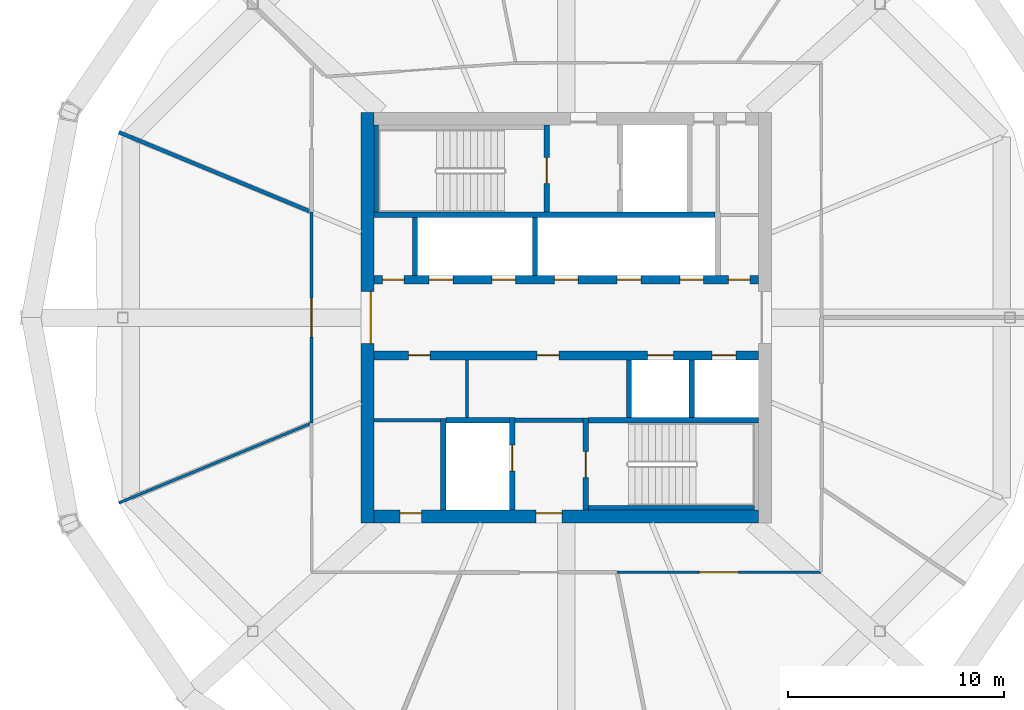
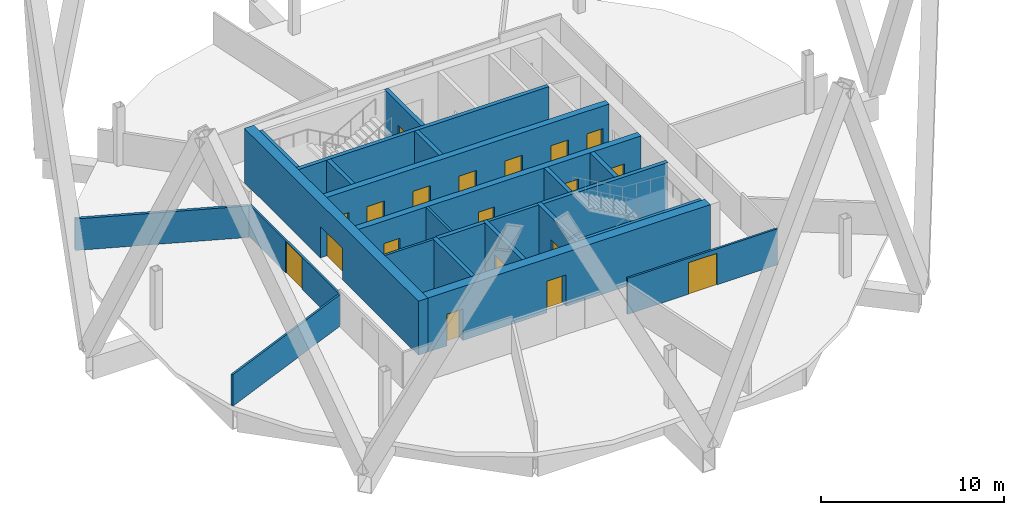
# One storey, part 5 of 10: 24 walls, 19 doors, 19 openings.
"""IFC4 building model written with IfcOpenShell, lengths in metres."""

from ifc_helpers import new_model, si_unit, direction, frame, frame_2d, origin, place, context, subcontext, project, spatial, rectangle, extrude, material, layer, layer_set, type_object, element, fill, save


model = new_model("IFC4")

# Units and contexts
model_context = context("Model", 3, precision=1e-05, world=origin(), true_north=direction((0.0, 1.0)))
body_context = subcontext(model_context, "Body", "Model", "MODEL_VIEW")
ifc_project = project(units=[si_unit("LENGTHUNIT", "METRE"), si_unit("AREAUNIT", "SQUARE_METRE"), si_unit("VOLUMEUNIT", "CUBIC_METRE"), si_unit("PLANEANGLEUNIT", "RADIAN"), si_unit("MASSUNIT", "GRAM", prefix="KILO")], contexts=[model_context])

# Site, building, storey
site_placement = place(None, origin())
site = spatial("IfcSite", under=ifc_project, at=site_placement, CompositionType="ELEMENT")
building_placement = place(site_placement, origin())
building = spatial("IfcBuilding", under=site, at=building_placement, Name="Ogive Gate Towers", CompositionType="ELEMENT")
storey_placement = place(building_placement, frame((0.0, 0.0, 181.199951171875)))
storey = spatial("IfcBuildingStorey", under=building, at=storey_placement, Name="L43", CompositionType="ELEMENT", Elevation=181.199951171875)

# Walls
ifc_material_1 = material(Name="Gypsum board acoustic partition")
ifc_layer_1 = layer(ifc_material_1, 0.175048828125)
ifc_layer_set_1 = layer_set([ifc_layer_1], Name="Acoustic partition 175")
wall_type_1 = type_object("IfcWallType", Name="Acoustic partition 175", PredefinedType="PARTITIONING", material=ifc_layer_set_1)
wall_1_placement = place(storey_placement, frame((-56.7041015625, 8.575927734375, 0.0), z_axis=(0.0, 0.0, 1.0), x_axis=(0.923880210616, -0.382681795271, 0.0)))
element("IfcWall", 1, at=wall_1_placement, inside=storey, type_object=wall_type_1, Name="Partition T1-L43-005", PredefinedType="PARTITIONING", context=body_context, shape_type="SweptSolid", body=[
    extrude(rectangle(XDim=9.561279296875, YDim=0.175048828125, at=frame_2d((4.78076171875, 0.0))), origin(), (0.0, 0.0, 1.0), 2.10009765625),
])
ifc_material_2 = material(Name="Masonry blockwork", Category="masonry")
ifc_layer_2 = layer(ifc_material_2, 0.199951171875)
ifc_layer_set_2 = layer_set([ifc_layer_2], Name="Blockwork wall 200 mm")
wall_type_2 = type_object("IfcWallType", Name="Blockwork wall 200 mm", PredefinedType="PARTITIONING", material=ifc_layer_set_2)
wall_2_placement = place(storey_placement, frame((-38.375, -4.75, 0.0), z_axis=(0.0, 0.0, 1.0), x_axis=(1.0, 0.0, 0.0)))
element("IfcWall", 2, at=wall_2_placement, inside=storey, type_object=wall_type_2, Name="T1 L43 Blockwork wall 200 mm", PredefinedType="PARTITIONING", context=body_context, shape_type="SweptSolid", body=[
    extrude(rectangle(XDim=3.14990234375, YDim=0.199951171875, at=frame_2d((1.574951171875, 0.0))), origin(), (0.0, 0.0, 1.0), 3.60009765625),
])

# Wall, openings, doors
ifc_material_3 = material(Name="Concrete C60/75", Category="concrete")
ifc_layer_3 = layer(ifc_material_3, 0.60009765625)
ifc_layer_set_3 = layer_set([ifc_layer_3], Name="Core wall 600 mm")
wall_type_3 = type_object("IfcWallType", Name="Core wall 600 mm", PredefinedType="SHEAR", material=ifc_layer_set_3)
wall_3_placement = place(storey_placement, frame((-44.89990234375, -9.199951171875, 0.0), z_axis=(0.0, 0.0, 1.0), x_axis=(1.0, 0.0, 0.0)))
wall_3 = element("IfcWall", 3, at=wall_3_placement, inside=storey, type_object=wall_type_3, Name="T1 L43 Core wall 600 mm", PredefinedType="SHEAR", context=body_context, shape_type="SweptSolid", body=[
    extrude(rectangle(XDim=17.7998046875, YDim=0.60009765625, at=frame_2d((8.89990234375, 0.0))), origin(), (0.0, 0.0, 1.0), 3.60009765625),
])
opening_1_placement = place(wall_3_placement, frame((7.5, 0.0, 0.0)))
opening_1 = element("IfcOpeningElement", 4, at=opening_1_placement, cuts=wall_3, Name="Opening KD-T1-L43-19", PredefinedType="OPENING", context=body_context, shape_type="SweptSolid", body=[
    extrude(rectangle(XDim=1.199951171875, YDim=2.10009765625, at=frame_2d((0.60009765625, 1.050048828125))), frame((0.0, 0.31005859375, 0.0), z_axis=(0.0, -1.0, 0.0), x_axis=(1.0, 0.0, 0.0)), (0.0, 0.0, 1.0), 0.6201171875),
])
opening_2_placement = place(wall_3_placement, frame((1.199951171875, 0.0, 0.0)))
opening_2 = element("IfcOpeningElement", 5, at=opening_2_placement, cuts=wall_3, Name="Opening KD-T1-L43-22", PredefinedType="OPENING", context=body_context, shape_type="SweptSolid", body=[
    extrude(rectangle(XDim=1.0, YDim=2.10009765625, at=frame_2d((0.5, 1.050048828125))), frame((0.0, 0.31005859375, 0.0), z_axis=(0.0, -1.0, 0.0), x_axis=(1.0, 0.0, 0.0)), (0.0, 0.0, 1.0), 0.6201171875),
])
ifc_material_4 = material(Name="Timber door", Category="wood")
door_type_1 = type_object("IfcDoorType", Name="Accessible WC door 1000 x 2100", OperationType="NOTDEFINED", PredefinedType="DOOR", material=ifc_material_4)
door_1_placement = place(opening_2_placement, origin())
door_1 = element("IfcDoor", 6, at=door_1_placement, inside=storey, type_object=door_type_1, Name="T1 L43 Core door", OperationType="SINGLE_SWING_LEFT", OverallHeight=2.10009765625, OverallWidth=1.0, PredefinedType="DOOR", context=body_context, shape_type="SweptSolid", body=[
    extrude(rectangle(XDim=1.0, YDim=2.10009765625, at=frame_2d((0.5, 1.050048828125))), frame((0.0, 0.1748046875, 0.0), z_axis=(0.0, -1.0, 0.0), x_axis=(1.0, 0.0, 0.0)), (0.0, 0.0, 1.0), 0.050048828125),
])
fill(opening_2, door_1)
ifc_material_5 = material(Name="Steel fire door", Category="steel")
door_type_2 = type_object("IfcDoorType", Name="Core door FD60S 1200 x 2100", OperationType="NOTDEFINED", PredefinedType="DOOR", material=ifc_material_5)
door_2_placement = place(opening_1_placement, origin())
door_2 = element("IfcDoor", 7, at=door_2_placement, inside=storey, type_object=door_type_2, Name="T1 L43 Fire-fighting lobby door", OperationType="SINGLE_SWING_RIGHT", OverallHeight=2.10009765625, OverallWidth=1.199951171875, PredefinedType="DOOR", context=body_context, shape_type="SweptSolid", body=[
    extrude(rectangle(XDim=1.199951171875, YDim=2.10009765625, at=frame_2d((0.60009765625, 1.050048828125))), frame((0.0, 0.1748046875, 0.0), z_axis=(0.0, -1.0, 0.0), x_axis=(1.0, 0.0, 0.0)), (0.0, 0.0, 1.0), 0.050048828125),
])
fill(opening_1, door_2)

# Wall, opening, door
wall_4_placement = place(storey_placement, frame((-45.199951171875, -9.5, 0.0), z_axis=(0.0, 0.0, 1.0), x_axis=(0.0, 1.0, 0.0)))
wall_4 = element("IfcWall", 8, at=wall_4_placement, inside=storey, type_object=wall_type_3, Name="T1 L43 Core wall 600 mm", PredefinedType="SHEAR", context=body_context, shape_type="SweptSolid", body=[
    extrude(rectangle(XDim=19.0, YDim=0.60009765625, at=frame_2d((9.5, 0.0))), origin(), (0.0, 0.0, 1.0), 3.60009765625),
])
opening_3_placement = place(wall_4_placement, frame((8.300048828125, 0.0, 0.0)))
opening_3 = element("IfcOpeningElement", 9, at=opening_3_placement, cuts=wall_4, Name="Opening KD-T1-L43-01", PredefinedType="OPENING", context=body_context, shape_type="SweptSolid", body=[
    extrude(rectangle(XDim=2.39990234375, YDim=2.10009765625, at=frame_2d((1.199951171875, 1.050048828125))), frame((0.0, 0.31005859375, 0.0), z_axis=(0.0, -1.0, 0.0), x_axis=(1.0, 0.0, 0.0)), (0.0, 0.0, 1.0), 0.6201171875),
])
door_type_3 = type_object("IfcDoorType", Name="Core double door FD60S 2400 x 2100", OperationType="DOUBLE_DOOR_SINGLE_SWING", PredefinedType="DOOR", material=ifc_material_5)
door_3_placement = place(opening_3_placement, origin())
door_3 = element("IfcDoor", 10, at=door_3_placement, inside=storey, type_object=door_type_3, Name="T1 L43 Core door double", OperationType="DOUBLE_DOOR_SINGLE_SWING", OverallHeight=2.10009765625, OverallWidth=2.39990234375, PredefinedType="DOOR", context=body_context, shape_type="SweptSolid", body=[
    extrude(rectangle(XDim=2.39990234375, YDim=2.10009765625, at=frame_2d((1.199951171875, 1.050048828125))), frame((0.0, -0.125, 0.0), z_axis=(0.0, -1.0, 0.0), x_axis=(1.0, 0.0, 0.0)), (0.0, 0.0, 1.0), 0.050048828125),
])
fill(opening_3, door_3)

# Wall
ifc_material_6 = material(Name="Gypsum board partition")
ifc_layer_4 = layer(ifc_material_6, 0.125)
ifc_layer_set_4 = layer_set([ifc_layer_4], Name="Partition 125")
wall_type_4 = type_object("IfcWallType", Name="Partition 125", PredefinedType="PARTITIONING", material=ifc_layer_set_4)
wall_5_placement = place(storey_placement, frame((-56.7041015625, -8.575927734375, 0.0), z_axis=(0.0, 0.0, 1.0), x_axis=(0.923883362833, 0.382674185019, 0.0)))
element("IfcWall", 11, at=wall_5_placement, inside=storey, type_object=wall_type_4, Name="Partition T1-L43-006", PredefinedType="PARTITIONING", context=body_context, shape_type="SweptSolid", body=[
    extrude(rectangle(XDim=9.58642578125, YDim=0.125, at=frame_2d((4.793212890625, 0.0))), origin(), (0.0, 0.0, 1.0), 2.10009765625),
])

# Wall, opening, door
wall_6_placement = place(storey_placement, frame((-47.789794921875, 4.88330078125, 0.0), z_axis=(0.0, 0.0, 1.0), x_axis=(0.0, -1.0, 0.0)))
wall_6 = element("IfcWall", 12, at=wall_6_placement, inside=storey, type_object=wall_type_4, Name="Partition T1-L43-016", PredefinedType="PARTITIONING", context=body_context, shape_type="SweptSolid", body=[
    extrude(rectangle(XDim=9.7666015625, YDim=0.125, at=frame_2d((4.88330078125, 0.0))), origin(), (0.0, 0.0, 1.0), 2.14013671875),
])
opening_4_placement = place(wall_6_placement, frame((3.98291015625, 0.0, 0.0)))
opening_4 = element("IfcOpeningElement", 13, at=opening_4_placement, cuts=wall_6, Name="Opening T1-L43-D06", PredefinedType="OPENING", context=body_context, shape_type="SweptSolid", body=[
    extrude(rectangle(XDim=1.800048828125, YDim=2.10009765625, at=frame_2d((0.89990234375, 1.050048828125))), frame((0.0, 0.072509765625, 0.0), z_axis=(0.0, -1.0, 0.0), x_axis=(1.0, 0.0, 0.0)), (0.0, 0.0, 1.0), 0.14501953125),
])
door_type_4 = type_object("IfcDoorType", Name="Door pair 1800", OperationType="NOTDEFINED", PredefinedType="DOOR", material=ifc_material_4)
door_4_placement = place(opening_4_placement, origin())
door_4 = element("IfcDoor", 14, at=door_4_placement, inside=storey, type_object=door_type_4, Name="Door T1-L43-D06", OperationType="DOUBLE_DOOR_DOUBLE_SWING", OverallHeight=2.10009765625, OverallWidth=1.800048828125, PredefinedType="DOOR", context=body_context, shape_type="SweptSolid", body=[
    extrude(rectangle(XDim=1.800048828125, YDim=2.10009765625, at=frame_2d((0.89990234375, 1.050048828125))), frame((0.0, 0.02490234375, 0.0), z_axis=(0.0, -1.0, 0.0), x_axis=(1.0, 0.0, 0.0)), (0.0, 0.0, 1.0), 0.050048828125),
])
fill(opening_4, door_4)

wall_7_placement = place(storey_placement, frame((-33.6611328125, -11.78076171875, 0.0), z_axis=(0.0, 0.0, 1.0), x_axis=(0.999999996991, 7.7577513e-05, 0.0)))
wall_7 = element("IfcWall", 15, at=wall_7_placement, inside=storey, type_object=wall_type_4, Name="Partition T1-L43-020", PredefinedType="PARTITIONING", context=body_context, shape_type="SweptSolid", body=[
    extrude(rectangle(XDim=9.441162109375, YDim=0.125, at=frame_2d((4.720703125, 0.0))), origin(), (0.0, 0.0, 1.0), 2.400146484375),
])
opening_5_placement = place(wall_7_placement, frame((3.821044921875, 0.0, 0.0)))
opening_5 = element("IfcOpeningElement", 16, at=opening_5_placement, cuts=wall_7, Name="Opening T1-L43-D09", PredefinedType="OPENING", context=body_context, shape_type="SweptSolid", body=[
    extrude(rectangle(XDim=1.800048828125, YDim=2.10009765625, at=frame_2d((0.89990234375, 1.050048828125))), frame((0.0, 0.072509765625, 0.0), z_axis=(0.0, -1.0, 0.0), x_axis=(1.0, 0.0, 0.0)), (0.0, 0.0, 1.0), 0.14501953125),
])
door_5_placement = place(opening_5_placement, origin())
door_5 = element("IfcDoor", 17, at=door_5_placement, inside=storey, type_object=door_type_4, Name="Door T1-L43-D09", OperationType="DOUBLE_DOOR_DOUBLE_SWING", OverallHeight=2.10009765625, OverallWidth=1.800048828125, PredefinedType="DOOR", context=body_context, shape_type="SweptSolid", body=[
    extrude(rectangle(XDim=1.800048828125, YDim=2.10009765625, at=frame_2d((0.89990234375, 1.050048828125))), frame((0.0, 0.02490234375, 0.0), z_axis=(0.0, -1.0, 0.0), x_axis=(1.0, 0.0, 0.0)), (0.0, 0.0, 1.0), 0.050048828125),
])
fill(opening_5, door_5)

# Walls
ifc_layer_5 = layer(ifc_material_6, 0.14990234375)
ifc_layer_set_5 = layer_set([ifc_layer_5], Name="Room partition 150 mm")
wall_type_5 = type_object("IfcWallType", Name="Room partition 150 mm", PredefinedType="PARTITIONING", material=ifc_layer_set_5)
wall_8_placement = place(storey_placement, frame((-44.89990234375, -4.75, 0.0), z_axis=(0.0, 0.0, 1.0), x_axis=(1.0, 0.0, 0.0)))
element("IfcWall", 18, at=wall_8_placement, inside=storey, type_object=wall_type_5, Name="T1 L43 Room partition 150 mm", PredefinedType="PARTITIONING", context=body_context, shape_type="SweptSolid", body=[
    extrude(rectangle(XDim=3.074951171875, YDim=0.14990234375, at=frame_2d((1.53759765625, 0.0))), origin(), (0.0, 0.0, 1.0), 3.60009765625),
])
wall_9_placement = place(storey_placement, frame((-40.60009765625, -4.625, 0.0), z_axis=(0.0, 0.0, 1.0), x_axis=(0.0, 1.0, 0.0)))
element("IfcWall", 19, at=wall_9_placement, inside=storey, type_object=wall_type_5, Name="T1 L43 Room partition 150 mm", PredefinedType="PARTITIONING", context=body_context, shape_type="SweptSolid", body=[
    extrude(rectangle(XDim=2.675048828125, YDim=0.14990234375, at=frame_2d((1.33740234375, 0.0))), origin(), (0.0, 0.0, 1.0), 3.60009765625),
])
ifc_layer_6 = layer(ifc_material_3, 0.25)
ifc_layer_set_6 = layer_set([ifc_layer_6], Name="Shaft wall 250 mm")
wall_type_6 = type_object("IfcWallType", Name="Shaft wall 250 mm", PredefinedType="SHEAR", material=ifc_layer_set_6)
wall_10_placement = place(storey_placement, frame((-41.574951171875, -4.75, 0.0), z_axis=(0.0, 0.0, 1.0), x_axis=(1.0, 0.0, 0.0)))
element("IfcWall", 20, at=wall_10_placement, inside=storey, type_object=wall_type_6, Name="T1 L43 Shaft wall 250 mm", PredefinedType="SHEAR", context=body_context, shape_type="SweptSolid", body=[
    extrude(rectangle(XDim=2.949951171875, YDim=0.25, at=frame_2d((1.47509765625, 0.0))), origin(), (0.0, 0.0, 1.0), 3.60009765625),
])
wall_11_placement = place(storey_placement, frame((-34.97509765625, -4.75, 0.0), z_axis=(0.0, 0.0, 1.0), x_axis=(1.0, 0.0, 0.0)))
element("IfcWall", 21, at=wall_11_placement, inside=storey, type_object=wall_type_6, Name="T1 L43 Shaft wall 250 mm", PredefinedType="SHEAR", context=body_context, shape_type="SweptSolid", body=[
    extrude(rectangle(XDim=7.875, YDim=0.25, at=frame_2d((3.9375, 0.0))), origin(), (0.0, 0.0, 1.0), 3.60009765625),
])
wall_12_placement = place(storey_placement, frame((-44.89990234375, 4.75, 0.0), z_axis=(0.0, 0.0, 1.0), x_axis=(1.0, 0.0, 0.0)))
element("IfcWall", 22, at=wall_12_placement, inside=storey, type_object=wall_type_6, Name="T1 L43 Shaft wall 250 mm", PredefinedType="SHEAR", context=body_context, shape_type="SweptSolid", body=[
    extrude(rectangle(XDim=15.77490234375, YDim=0.25, at=frame_2d((7.887451171875, 0.0))), origin(), (0.0, 0.0, 1.0), 3.60009765625),
])
wall_13_placement = place(storey_placement, frame((-43.0, 1.949951171875, 0.0), z_axis=(0.0, 0.0, 1.0), x_axis=(0.0, 1.0, 0.0)))
element("IfcWall", 23, at=wall_13_placement, inside=storey, type_object=wall_type_6, Name="T1 L43 Shaft wall 250 mm", PredefinedType="SHEAR", context=body_context, shape_type="SweptSolid", body=[
    extrude(rectangle(XDim=2.675048828125, YDim=0.25, at=frame_2d((1.33740234375, 0.0))), origin(), (0.0, 0.0, 1.0), 3.60009765625),
])
wall_14_placement = place(storey_placement, frame((-41.699951171875, -8.89990234375, 0.0), z_axis=(0.0, 0.0, 1.0), x_axis=(0.0, 1.0, 0.0)))
element("IfcWall", 24, at=wall_14_placement, inside=storey, type_object=wall_type_6, Name="T1 L43 Shaft wall 250 mm", PredefinedType="SHEAR", context=body_context, shape_type="SweptSolid", body=[
    extrude(rectangle(XDim=4.224853515625, YDim=0.25, at=frame_2d((2.1123046875, 0.0))), origin(), (0.0, 0.0, 1.0), 3.60009765625),
])

# Wall, opening, door
wall_15_placement = place(storey_placement, frame((-38.5, -8.89990234375, 0.0), z_axis=(0.0, 0.0, 1.0), x_axis=(0.0, 1.0, 0.0)))
wall_15 = element("IfcWall", 25, at=wall_15_placement, inside=storey, type_object=wall_type_6, Name="T1 L43 Shaft wall 250 mm", PredefinedType="SHEAR", context=body_context, shape_type="SweptSolid", body=[
    extrude(rectangle(XDim=4.27490234375, YDim=0.25, at=frame_2d((2.137451171875, 0.0))), origin(), (0.0, 0.0, 1.0), 3.60009765625),
])
opening_6_placement = place(wall_15_placement, frame((1.800048828125, 0.0, 0.0)))
opening_6 = element("IfcOpeningElement", 26, at=opening_6_placement, cuts=wall_15, Name="Opening LD-T1-L43-13", PredefinedType="OPENING", context=body_context, shape_type="SweptSolid", body=[
    extrude(rectangle(XDim=1.199951171875, YDim=2.10009765625, at=frame_2d((0.60009765625, 1.050048828125))), frame((0.0, 0.135009765625, 0.0), z_axis=(0.0, -1.0, 0.0), x_axis=(1.0, 0.0, 0.0)), (0.0, 0.0, 1.0), 0.27001953125),
])
ifc_material_7 = material(Name="Stainless steel landing door", Category="steel")
door_type_5 = type_object("IfcDoorType", Name="Landing door 1200 x 2100", OperationType="SLIDING_TO_LEFT", PredefinedType="DOOR", material=ifc_material_7)
door_6_placement = place(opening_6_placement, origin())
door_6 = element("IfcDoor", 27, at=door_6_placement, inside=storey, type_object=door_type_5, Name="T1 L43 Lift landing door FF2", OperationType="SLIDING_TO_LEFT", OverallHeight=2.10009765625, OverallWidth=1.199951171875, PredefinedType="DOOR", context=body_context, shape_type="SweptSolid", body=[
    extrude(rectangle(XDim=1.199951171875, YDim=2.10009765625, at=frame_2d((0.60009765625, 1.050048828125))), frame((0.0, 0.02490234375, 0.0), z_axis=(0.0, -1.0, 0.0), x_axis=(1.0, 0.0, 0.0)), (0.0, 0.0, 1.0), 0.050048828125),
])
fill(opening_6, door_6)

# Wall
wall_16_placement = place(storey_placement, frame((-37.449951171875, 1.949951171875, 0.0), z_axis=(0.0, 0.0, 1.0), x_axis=(0.0, 1.0, 0.0)))
element("IfcWall", 28, at=wall_16_placement, inside=storey, type_object=wall_type_6, Name="T1 L43 Shaft wall 250 mm", PredefinedType="SHEAR", context=body_context, shape_type="SweptSolid", body=[
    extrude(rectangle(XDim=2.675048828125, YDim=0.25, at=frame_2d((1.33740234375, 0.0))), origin(), (0.0, 0.0, 1.0), 3.60009765625),
])

# Wall, opening, door
wall_17_placement = place(storey_placement, frame((-36.89990234375, 4.875, 0.0), z_axis=(0.0, 0.0, 1.0), x_axis=(0.0, 1.0, 0.0)))
wall_17 = element("IfcWall", 29, at=wall_17_placement, inside=storey, type_object=wall_type_6, Name="T1 L43 Shaft wall 250 mm", PredefinedType="SHEAR", context=body_context, shape_type="SweptSolid", body=[
    extrude(rectangle(XDim=4.02490234375, YDim=0.25, at=frame_2d((2.012451171875, 0.0))), origin(), (0.0, 0.0, 1.0), 3.60009765625),
])
opening_7_placement = place(wall_17_placement, frame((1.324951171875, 0.0, 0.0)))
opening_7 = element("IfcOpeningElement", 30, at=opening_7_placement, cuts=wall_17, Name="Opening KD-T1-L43-16", PredefinedType="OPENING", context=body_context, shape_type="SweptSolid", body=[
    extrude(rectangle(XDim=1.199951171875, YDim=2.10009765625, at=frame_2d((0.60009765625, 1.050048828125))), frame((0.0, 0.135009765625, 0.0), z_axis=(0.0, -1.0, 0.0), x_axis=(1.0, 0.0, 0.0)), (0.0, 0.0, 1.0), 0.27001953125),
])
door_7_placement = place(opening_7_placement, origin())
door_7 = element("IfcDoor", 31, at=door_7_placement, inside=storey, type_object=door_type_2, Name="T1 L43 Stair door", OperationType="SINGLE_SWING_LEFT", OverallHeight=2.10009765625, OverallWidth=1.199951171875, PredefinedType="DOOR", context=body_context, shape_type="SweptSolid", body=[
    extrude(rectangle(XDim=1.199951171875, YDim=2.10009765625, at=frame_2d((0.60009765625, 1.050048828125))), frame((0.0, 0.02490234375, 0.0), z_axis=(0.0, -1.0, 0.0), x_axis=(1.0, 0.0, 0.0)), (0.0, 0.0, 1.0), 0.050048828125),
])
fill(opening_7, door_7)

wall_18_placement = place(storey_placement, frame((-35.10009765625, -8.89990234375, 0.0), z_axis=(0.0, 0.0, 1.0), x_axis=(0.0, 1.0, 0.0)))
wall_18 = element("IfcWall", 32, at=wall_18_placement, inside=storey, type_object=wall_type_6, Name="T1 L43 Shaft wall 250 mm", PredefinedType="SHEAR", context=body_context, shape_type="SweptSolid", body=[
    extrude(rectangle(XDim=4.25, YDim=0.25, at=frame_2d((2.125, 0.0))), origin(), (0.0, 0.0, 1.0), 3.60009765625),
])
opening_8_placement = place(wall_18_placement, frame((1.5, 0.0, 0.0)))
opening_8 = element("IfcOpeningElement", 33, at=opening_8_placement, cuts=wall_18, Name="Opening KD-T1-L43-17", PredefinedType="OPENING", context=body_context, shape_type="SweptSolid", body=[
    extrude(rectangle(XDim=1.199951171875, YDim=2.10009765625, at=frame_2d((0.60009765625, 1.050048828125))), frame((0.0, 0.135009765625, 0.0), z_axis=(0.0, -1.0, 0.0), x_axis=(1.0, 0.0, 0.0)), (0.0, 0.0, 1.0), 0.27001953125),
])
door_8_placement = place(opening_8_placement, origin())
door_8 = element("IfcDoor", 34, at=door_8_placement, inside=storey, type_object=door_type_2, Name="T1 L43 Stair door", OperationType="SINGLE_SWING_RIGHT", OverallHeight=2.10009765625, OverallWidth=1.199951171875, PredefinedType="DOOR", context=body_context, shape_type="SweptSolid", body=[
    extrude(rectangle(XDim=1.199951171875, YDim=2.10009765625, at=frame_2d((0.60009765625, 1.050048828125))), frame((0.0, 0.02490234375, 0.0), z_axis=(0.0, -1.0, 0.0), x_axis=(1.0, 0.0, 0.0)), (0.0, 0.0, 1.0), 0.050048828125),
])
fill(opening_8, door_8)

# Walls
for number, where, z_axis, x_axis, name in (
    (35, (-33.10009765625, -4.625, 0.0), (0.0, 0.0, 1.0), (0.0, 1.0, 0.0), "T1 L43 Shaft wall 250 mm"),
    (36, (-30.199951171875, -4.625, 0.0), (0.0, 0.0, 1.0), (0.0, 1.0, 0.0), "T1 L43 Shaft wall 250 mm"),
):
    element("IfcWall", number, at=place(storey_placement, frame(where, z_axis=z_axis, x_axis=x_axis)), inside=storey, type_object=wall_type_6, Name=name, PredefinedType="SHEAR", context=body_context, shape_type="SweptSolid", body=[
        extrude(rectangle(XDim=2.675048828125, YDim=0.25, at=frame_2d((1.33740234375, 0.0))), origin(), (0.0, 0.0, 1.0), 3.60009765625),
    ])

# Wall, openings, doors
ifc_layer_7 = layer(ifc_material_3, 0.39990234375)
ifc_layer_set_7 = layer_set([ifc_layer_7], Name="Spine wall 400 mm")
wall_type_7 = type_object("IfcWallType", Name="Spine wall 400 mm", PredefinedType="SHEAR", material=ifc_layer_set_7)
wall_19_placement = place(storey_placement, frame((-44.89990234375, -1.75, 0.0), z_axis=(0.0, 0.0, 1.0), x_axis=(1.0, 0.0, 0.0)))
wall_19 = element("IfcWall", 37, at=wall_19_placement, inside=storey, type_object=wall_type_7, Name="T1 L43 Spine wall 400 mm", PredefinedType="SHEAR", context=body_context, shape_type="SweptSolid", body=[
    extrude(rectangle(XDim=17.7998046875, YDim=0.39990234375, at=frame_2d((8.89990234375, 0.0))), origin(), (0.0, 0.0, 1.0), 3.60009765625),
])
opening_9_placement = place(wall_19_placement, frame((12.64990234375, 0.0, 0.0)))
opening_9 = element("IfcOpeningElement", 38, at=opening_9_placement, cuts=wall_19, Name="Opening LD-T1-L43-10", PredefinedType="OPENING", context=body_context, shape_type="SweptSolid", body=[
    extrude(rectangle(XDim=1.199951171875, YDim=2.10009765625, at=frame_2d((0.60009765625, 1.050048828125))), frame((0.0, 0.2099609375, 0.0), z_axis=(0.0, -1.0, 0.0), x_axis=(1.0, 0.0, 0.0)), (0.0, 0.0, 1.0), 0.419921875),
])
opening_10_placement = place(wall_19_placement, frame((15.64990234375, 0.0, 0.0)))
opening_10 = element("IfcOpeningElement", 39, at=opening_10_placement, cuts=wall_19, Name="Opening LD-T1-L43-11", PredefinedType="OPENING", context=body_context, shape_type="SweptSolid", body=[
    extrude(rectangle(XDim=1.10009765625, YDim=2.10009765625, at=frame_2d((0.550048828125, 1.050048828125))), frame((0.0, 0.2099609375, 0.0), z_axis=(0.0, -1.0, 0.0), x_axis=(1.0, 0.0, 0.0)), (0.0, 0.0, 1.0), 0.419921875),
])
opening_11_placement = place(wall_19_placement, frame((1.60009765625, 0.0, 0.0)))
opening_11 = element("IfcOpeningElement", 40, at=opening_11_placement, cuts=wall_19, Name="Opening KD-T1-L43-14", PredefinedType="OPENING", context=body_context, shape_type="SweptSolid", body=[
    extrude(rectangle(XDim=1.0, YDim=2.10009765625, at=frame_2d((0.5, 1.050048828125))), frame((0.0, 0.2099609375, 0.0), z_axis=(0.0, -1.0, 0.0), x_axis=(1.0, 0.0, 0.0)), (0.0, 0.0, 1.0), 0.419921875),
])
opening_12_placement = place(wall_19_placement, frame((7.550048828125, 0.0, 0.0)))
opening_12 = element("IfcOpeningElement", 41, at=opening_12_placement, cuts=wall_19, Name="Opening KD-T1-L43-15", PredefinedType="OPENING", context=body_context, shape_type="SweptSolid", body=[
    extrude(rectangle(XDim=1.0, YDim=2.10009765625, at=frame_2d((0.5, 1.050048828125))), frame((0.0, 0.2099609375, 0.0), z_axis=(0.0, -1.0, 0.0), x_axis=(1.0, 0.0, 0.0)), (0.0, 0.0, 1.0), 0.419921875),
])
door_type_6 = type_object("IfcDoorType", Name="Core door FD60S 1000 x 2100", OperationType="NOTDEFINED", PredefinedType="DOOR", material=ifc_material_5)
door_9_placement = place(opening_11_placement, origin())
door_9 = element("IfcDoor", 42, at=door_9_placement, inside=storey, type_object=door_type_6, Name="T1 L43 Core door", OperationType="SINGLE_SWING_LEFT", OverallHeight=2.10009765625, OverallWidth=1.0, PredefinedType="DOOR", context=body_context, shape_type="SweptSolid", body=[
    extrude(rectangle(XDim=1.0, YDim=2.10009765625, at=frame_2d((0.5, 1.050048828125))), frame((0.0, 0.02490234375, 0.0), z_axis=(0.0, -1.0, 0.0), x_axis=(1.0, 0.0, 0.0)), (0.0, 0.0, 1.0), 0.050048828125),
])
fill(opening_11, door_9)
door_10_placement = place(opening_12_placement, origin())
door_10 = element("IfcDoor", 43, at=door_10_placement, inside=storey, type_object=door_type_6, Name="T1 L43 Core door", OperationType="SINGLE_SWING_RIGHT", OverallHeight=2.10009765625, OverallWidth=1.0, PredefinedType="DOOR", context=body_context, shape_type="SweptSolid", body=[
    extrude(rectangle(XDim=1.0, YDim=2.10009765625, at=frame_2d((0.5, 1.050048828125))), frame((0.0, 0.02490234375, 0.0), z_axis=(0.0, -1.0, 0.0), x_axis=(1.0, 0.0, 0.0)), (0.0, 0.0, 1.0), 0.050048828125),
])
fill(opening_12, door_10)
door_type_7 = type_object("IfcDoorType", Name="Landing door 1100 x 2100", OperationType="SLIDING_TO_LEFT", PredefinedType="DOOR", material=ifc_material_7)
door_11_placement = place(opening_10_placement, origin())
door_11 = element("IfcDoor", 44, at=door_11_placement, inside=storey, type_object=door_type_7, Name="T1 L43 Lift landing door B6", OperationType="SLIDING_TO_LEFT", OverallHeight=2.10009765625, OverallWidth=1.10009765625, PredefinedType="DOOR", context=body_context, shape_type="SweptSolid", body=[
    extrude(rectangle(XDim=1.10009765625, YDim=2.10009765625, at=frame_2d((0.550048828125, 1.050048828125))), frame((0.0, 0.02490234375, 0.0), z_axis=(0.0, -1.0, 0.0), x_axis=(1.0, 0.0, 0.0)), (0.0, 0.0, 1.0), 0.050048828125),
])
fill(opening_10, door_11)
door_12_placement = place(opening_9_placement, origin())
door_12 = element("IfcDoor", 45, at=door_12_placement, inside=storey, type_object=door_type_5, Name="T1 L43 Lift landing door SVC", OperationType="SLIDING_TO_LEFT", OverallHeight=2.10009765625, OverallWidth=1.199951171875, PredefinedType="DOOR", context=body_context, shape_type="SweptSolid", body=[
    extrude(rectangle(XDim=1.199951171875, YDim=2.10009765625, at=frame_2d((0.60009765625, 1.050048828125))), frame((0.0, 0.02490234375, 0.0), z_axis=(0.0, -1.0, 0.0), x_axis=(1.0, 0.0, 0.0)), (0.0, 0.0, 1.0), 0.050048828125),
])
fill(opening_9, door_12)

wall_20_placement = place(storey_placement, frame((-44.89990234375, 1.75, 0.0), z_axis=(0.0, 0.0, 1.0), x_axis=(1.0, 0.0, 0.0)))
wall_20 = element("IfcWall", 46, at=wall_20_placement, inside=storey, type_object=wall_type_7, Name="T1 L43 Spine wall 400 mm", PredefinedType="SHEAR", context=body_context, shape_type="SweptSolid", body=[
    extrude(rectangle(XDim=17.7998046875, YDim=0.39990234375, at=frame_2d((8.89990234375, 0.0))), origin(), (0.0, 0.0, 1.0), 3.60009765625),
])
opening_13_placement = place(wall_20_placement, frame((0.39990234375, 0.0, 0.0)))
opening_13 = element("IfcOpeningElement", 47, at=opening_13_placement, cuts=wall_20, Name="Opening KD-T1-L43-03", PredefinedType="OPENING", context=body_context, shape_type="SweptSolid", body=[
    extrude(rectangle(XDim=1.0, YDim=2.10009765625, at=frame_2d((0.5, 1.050048828125))), frame((0.0, 0.2099609375, 0.0), z_axis=(0.0, -1.0, 0.0), x_axis=(1.0, 0.0, 0.0)), (0.0, 0.0, 1.0), 0.419921875),
])
opening_14_placement = place(wall_20_placement, frame((2.550048828125, 0.0, 0.0)))
opening_14 = element("IfcOpeningElement", 48, at=opening_14_placement, cuts=wall_20, Name="Opening LD-T1-L43-04", PredefinedType="OPENING", context=body_context, shape_type="SweptSolid", body=[
    extrude(rectangle(XDim=1.10009765625, YDim=2.10009765625, at=frame_2d((0.550048828125, 1.050048828125))), frame((0.0, 0.2099609375, 0.0), z_axis=(0.0, -1.0, 0.0), x_axis=(1.0, 0.0, 0.0)), (0.0, 0.0, 1.0), 0.419921875),
])
opening_15_placement = place(wall_20_placement, frame((5.449951171875, 0.0, 0.0)))
opening_15 = element("IfcOpeningElement", 49, at=opening_15_placement, cuts=wall_20, Name="Opening LD-T1-L43-05", PredefinedType="OPENING", context=body_context, shape_type="SweptSolid", body=[
    extrude(rectangle(XDim=1.10009765625, YDim=2.10009765625, at=frame_2d((0.550048828125, 1.050048828125))), frame((0.0, 0.2099609375, 0.0), z_axis=(0.0, -1.0, 0.0), x_axis=(1.0, 0.0, 0.0)), (0.0, 0.0, 1.0), 0.419921875),
])
opening_16_placement = place(wall_20_placement, frame((8.35009765625, 0.0, 0.0)))
opening_16 = element("IfcOpeningElement", 50, at=opening_16_placement, cuts=wall_20, Name="Opening LD-T1-L43-06", PredefinedType="OPENING", context=body_context, shape_type="SweptSolid", body=[
    extrude(rectangle(XDim=1.10009765625, YDim=2.10009765625, at=frame_2d((0.550048828125, 1.050048828125))), frame((0.0, 0.2099609375, 0.0), z_axis=(0.0, -1.0, 0.0), x_axis=(1.0, 0.0, 0.0)), (0.0, 0.0, 1.0), 0.419921875),
])
opening_17_placement = place(wall_20_placement, frame((11.25, 0.0, 0.0)))
opening_17 = element("IfcOpeningElement", 51, at=opening_17_placement, cuts=wall_20, Name="Opening LD-T1-L43-07", PredefinedType="OPENING", context=body_context, shape_type="SweptSolid", body=[
    extrude(rectangle(XDim=1.10009765625, YDim=2.10009765625, at=frame_2d((0.550048828125, 1.050048828125))), frame((0.0, 0.2099609375, 0.0), z_axis=(0.0, -1.0, 0.0), x_axis=(1.0, 0.0, 0.0)), (0.0, 0.0, 1.0), 0.419921875),
])
opening_18_placement = place(wall_20_placement, frame((14.14990234375, 0.0, 0.0)))
opening_18 = element("IfcOpeningElement", 52, at=opening_18_placement, cuts=wall_20, Name="Opening LD-T1-L43-08", PredefinedType="OPENING", context=body_context, shape_type="SweptSolid", body=[
    extrude(rectangle(XDim=1.10009765625, YDim=2.10009765625, at=frame_2d((0.550048828125, 1.050048828125))), frame((0.0, 0.2099609375, 0.0), z_axis=(0.0, -1.0, 0.0), x_axis=(1.0, 0.0, 0.0)), (0.0, 0.0, 1.0), 0.419921875),
])
opening_19_placement = place(wall_20_placement, frame((16.39990234375, 0.0, 0.0)))
opening_19 = element("IfcOpeningElement", 53, at=opening_19_placement, cuts=wall_20, Name="Opening KD-T1-L43-09", PredefinedType="OPENING", context=body_context, shape_type="SweptSolid", body=[
    extrude(rectangle(XDim=1.0, YDim=2.10009765625, at=frame_2d((0.5, 1.050048828125))), frame((0.0, 0.2099609375, 0.0), z_axis=(0.0, -1.0, 0.0), x_axis=(1.0, 0.0, 0.0)), (0.0, 0.0, 1.0), 0.419921875),
])
door_13_placement = place(opening_13_placement, origin())
door_13 = element("IfcDoor", 54, at=door_13_placement, inside=storey, type_object=door_type_6, Name="T1 L43 Core door", OperationType="SINGLE_SWING_RIGHT", OverallHeight=2.10009765625, OverallWidth=1.0, PredefinedType="DOOR", context=body_context, shape_type="SweptSolid", body=[
    extrude(rectangle(XDim=1.0, YDim=2.10009765625, at=frame_2d((0.5, 1.050048828125))), frame((0.0, 0.02490234375, 0.0), z_axis=(0.0, -1.0, 0.0), x_axis=(1.0, 0.0, 0.0)), (0.0, 0.0, 1.0), 0.050048828125),
])
fill(opening_13, door_13)
door_14_placement = place(opening_19_placement, origin())
door_14 = element("IfcDoor", 55, at=door_14_placement, inside=storey, type_object=door_type_6, Name="T1 L43 Core door", OperationType="SINGLE_SWING_RIGHT", OverallHeight=2.10009765625, OverallWidth=1.0, PredefinedType="DOOR", context=body_context, shape_type="SweptSolid", body=[
    extrude(rectangle(XDim=1.0, YDim=2.10009765625, at=frame_2d((0.5, 1.050048828125))), frame((0.0, 0.02490234375, 0.0), z_axis=(0.0, -1.0, 0.0), x_axis=(1.0, 0.0, 0.0)), (0.0, 0.0, 1.0), 0.050048828125),
])
fill(opening_19, door_14)
door_15_placement = place(opening_14_placement, origin())
door_15 = element("IfcDoor", 56, at=door_15_placement, inside=storey, type_object=door_type_7, Name="T1 L43 Lift landing door B1", OperationType="SLIDING_TO_LEFT", OverallHeight=2.10009765625, OverallWidth=1.10009765625, PredefinedType="DOOR", context=body_context, shape_type="SweptSolid", body=[
    extrude(rectangle(XDim=1.10009765625, YDim=2.10009765625, at=frame_2d((0.550048828125, 1.050048828125))), frame((0.0, 0.02490234375, 0.0), z_axis=(0.0, -1.0, 0.0), x_axis=(1.0, 0.0, 0.0)), (0.0, 0.0, 1.0), 0.050048828125),
])
fill(opening_14, door_15)
door_16_placement = place(opening_15_placement, origin())
door_16 = element("IfcDoor", 57, at=door_16_placement, inside=storey, type_object=door_type_7, Name="T1 L43 Lift landing door B2", OperationType="SLIDING_TO_LEFT", OverallHeight=2.10009765625, OverallWidth=1.10009765625, PredefinedType="DOOR", context=body_context, shape_type="SweptSolid", body=[
    extrude(rectangle(XDim=1.10009765625, YDim=2.10009765625, at=frame_2d((0.550048828125, 1.050048828125))), frame((0.0, 0.02490234375, 0.0), z_axis=(0.0, -1.0, 0.0), x_axis=(1.0, 0.0, 0.0)), (0.0, 0.0, 1.0), 0.050048828125),
])
fill(opening_15, door_16)
door_17_placement = place(opening_16_placement, origin())
door_17 = element("IfcDoor", 58, at=door_17_placement, inside=storey, type_object=door_type_7, Name="T1 L43 Lift landing door B3", OperationType="SLIDING_TO_LEFT", OverallHeight=2.10009765625, OverallWidth=1.10009765625, PredefinedType="DOOR", context=body_context, shape_type="SweptSolid", body=[
    extrude(rectangle(XDim=1.10009765625, YDim=2.10009765625, at=frame_2d((0.550048828125, 1.050048828125))), frame((0.0, 0.02490234375, 0.0), z_axis=(0.0, -1.0, 0.0), x_axis=(1.0, 0.0, 0.0)), (0.0, 0.0, 1.0), 0.050048828125),
])
fill(opening_16, door_17)
door_18_placement = place(opening_17_placement, origin())
door_18 = element("IfcDoor", 59, at=door_18_placement, inside=storey, type_object=door_type_7, Name="T1 L43 Lift landing door B4", OperationType="SLIDING_TO_LEFT", OverallHeight=2.10009765625, OverallWidth=1.10009765625, PredefinedType="DOOR", context=body_context, shape_type="SweptSolid", body=[
    extrude(rectangle(XDim=1.10009765625, YDim=2.10009765625, at=frame_2d((0.550048828125, 1.050048828125))), frame((0.0, 0.02490234375, 0.0), z_axis=(0.0, -1.0, 0.0), x_axis=(1.0, 0.0, 0.0)), (0.0, 0.0, 1.0), 0.050048828125),
])
fill(opening_17, door_18)
door_19_placement = place(opening_18_placement, origin())
door_19 = element("IfcDoor", 60, at=door_19_placement, inside=storey, type_object=door_type_7, Name="T1 L43 Lift landing door B5", OperationType="SLIDING_TO_LEFT", OverallHeight=2.10009765625, OverallWidth=1.10009765625, PredefinedType="DOOR", context=body_context, shape_type="SweptSolid", body=[
    extrude(rectangle(XDim=1.10009765625, YDim=2.10009765625, at=frame_2d((0.550048828125, 1.050048828125))), frame((0.0, 0.02490234375, 0.0), z_axis=(0.0, -1.0, 0.0), x_axis=(1.0, 0.0, 0.0)), (0.0, 0.0, 1.0), 0.050048828125),
])
fill(opening_18, door_19)

# Walls
ifc_layer_8 = layer(ifc_material_3, 0.199951171875)
ifc_layer_set_8 = layer_set([ifc_layer_8], Name="Stair wall 200 mm")
wall_type_8 = type_object("IfcWallType", Name="Stair wall 200 mm", PredefinedType="SHEAR", material=ifc_layer_set_8)
wall_21_placement = place(storey_placement, frame((-34.97509765625, -8.800048828125, 0.0), z_axis=(0.0, 0.0, 1.0), x_axis=(1.0, 0.0, 0.0)))
element("IfcWall", 61, at=wall_21_placement, inside=storey, type_object=wall_type_8, Name="T1 L43 Stair wall 200 mm", PredefinedType="SHEAR", context=body_context, shape_type="SweptSolid", body=[
    extrude(rectangle(XDim=7.675048828125, YDim=0.199951171875, at=frame_2d((3.83740234375, 0.0))), origin(), (0.0, 0.0, 1.0), 3.60009765625),
])
wall_22_placement = place(storey_placement, frame((-44.800048828125, 4.875, 0.0), z_axis=(0.0, 0.0, 1.0), x_axis=(0.0, 1.0, 0.0)))
element("IfcWall", 62, at=wall_22_placement, inside=storey, type_object=wall_type_8, Name="T1 L43 Stair wall 200 mm", PredefinedType="SHEAR", context=body_context, shape_type="SweptSolid", body=[
    extrude(rectangle(XDim=4.02490234375, YDim=0.199951171875, at=frame_2d((2.012451171875, 0.0))), origin(), (0.0, 0.0, 1.0), 3.60009765625),
])

save(model, "model.ifc")
